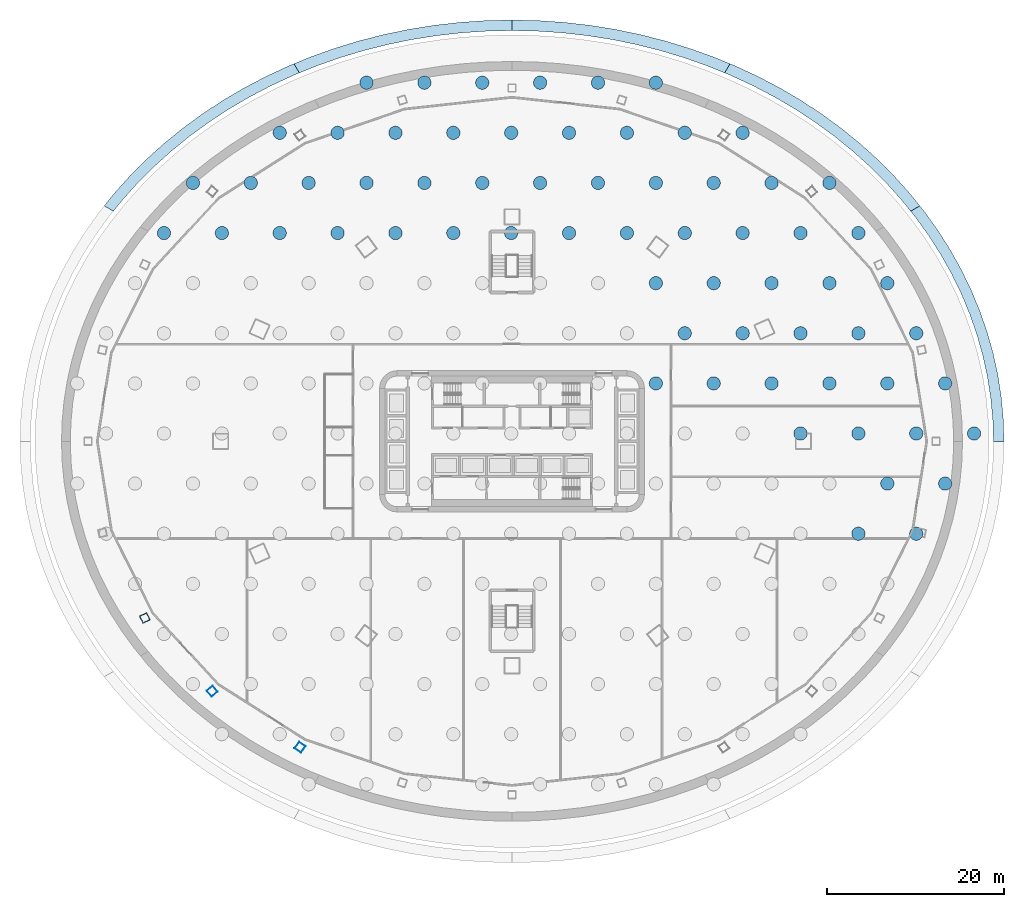
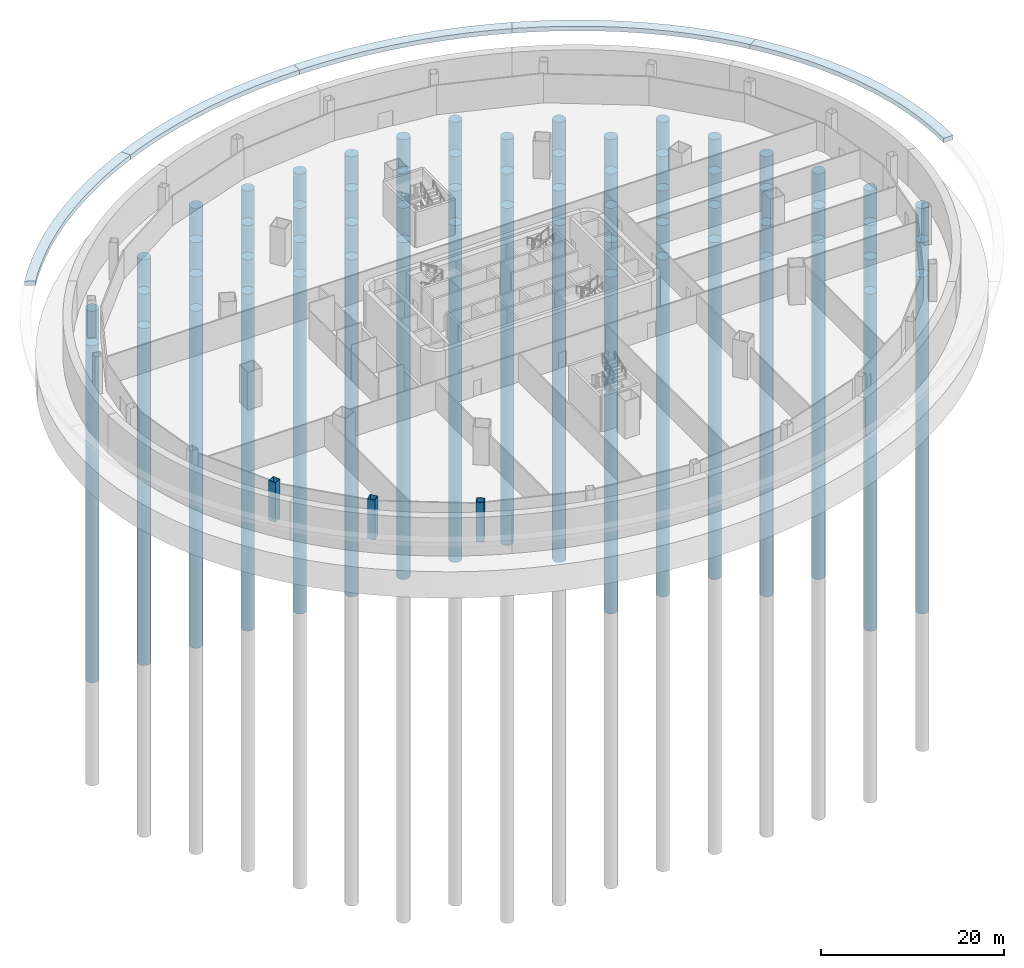
# One storey, part 2 of 19: 64 piles, 5 footings, 3 columns.
"""IFC4 building model written with IfcOpenShell, lengths in metres."""

from ifc_helpers import new_model, si_unit, direction, frame, origin, origin_2d, place, context, subcontext, project, spatial, polyline, hollow_rectangle, circle, outline, extrude, material, material_profile, profile_set, type_object, element, save


model = new_model("IFC4")

# Units and contexts
model_context = context("Model", 3, precision=1e-05, world=origin(), true_north=direction((0.0, 1.0)))
body_context = subcontext(model_context, "Body", "Model", "MODEL_VIEW")
ifc_project = project(units=[si_unit("LENGTHUNIT", "METRE"), si_unit("AREAUNIT", "SQUARE_METRE"), si_unit("VOLUMEUNIT", "CUBIC_METRE"), si_unit("PLANEANGLEUNIT", "RADIAN"), si_unit("MASSUNIT", "GRAM", prefix="KILO")], contexts=[model_context])

# Site, building, storey
site_placement = place(None, origin())
site = spatial("IfcSite", under=ifc_project, at=site_placement, CompositionType="ELEMENT")
building_placement = place(site_placement, origin())
building = spatial("IfcBuilding", under=site, at=building_placement, Name="Sahrelin Media Tower", CompositionType="ELEMENT")
storey_placement = place(building_placement, frame((0.0, 0.0, -5.0)))
storey = spatial("IfcBuildingStorey", under=building, at=storey_placement, Name="B1", CompositionType="ELEMENT", Elevation=-5.0)

# Piles
ifc_material_1 = material(Name="Concrete C60/75", Category="concrete")
ifc_material_profile_1 = material_profile(ifc_material_1, circle(Radius=0.75, at=origin_2d()), Name="Bored pile D1500")
ifc_profile_set_1 = profile_set([ifc_material_profile_1], Name="Concrete C60/75")
pile_type = type_object("IfcPileType", Name="Bored pile D1500", PredefinedType="BORED", material=ifc_profile_set_1)
for number, where, z_axis, x_axis, name in (
    (1, (39.214111328125, -10.4599609375, -3.800048828125), (0.0, 0.0, -1.0), (1.0, 0.0, 0.0), "Bored pile 72"),
    (2, (45.764892578125, -10.4599609375, -3.800048828125), (0.0, 0.0, -1.0), (1.0, 0.0, 0.0), "Bored pile 73"),
    (3, (42.489501953125, -4.78662109375, -3.800048828125), (0.0, 0.0, -1.0), (1.0, 0.0, 0.0), "Bored pile 88"),
    (4, (49.04052734375, -4.78662109375, -3.800048828125), (0.0, 0.0, -1.0), (1.0, 0.0, 0.0), "Bored pile 89"),
    (5, (32.6630859375, 0.88671875, -3.800048828125), (0.0, 0.0, -1.0), (1.0, 0.0, 0.0), "Bored pile 102"),
    (6, (39.214111328125, 0.88671875, -3.800048828125), (0.0, 0.0, -1.0), (1.0, 0.0, 0.0), "Bored pile 103"),
    (7, (45.764892578125, 0.88671875, -3.800048828125), (0.0, 0.0, -1.0), (1.0, 0.0, 0.0), "Bored pile 104"),
    (8, (52.31591796875, 0.88671875, -3.800048828125), (0.0, 0.0, -1.0), (1.0, 0.0, 0.0), "Bored pile 105"),
    (9, (16.285400390625, 6.56005859375, -3.800048828125), (0.0, 0.0, -1.0), (1.0, 0.0, 0.0), "Bored pile 116"),
    (10, (22.83642578125, 6.56005859375, -3.800048828125), (0.0, 0.0, -1.0), (1.0, 0.0, 0.0), "Bored pile 117"),
    (11, (29.387451171875, 6.56005859375, -3.800048828125), (0.0, 0.0, -1.0), (1.0, 0.0, 0.0), "Bored pile 118"),
    (12, (35.9384765625, 6.56005859375, -3.800048828125), (0.0, 0.0, -1.0), (1.0, 0.0, 0.0), "Bored pile 119"),
    (13, (42.489501953125, 6.56005859375, -3.800048828125), (0.0, 0.0, -1.0), (1.0, 0.0, 0.0), "Bored pile 120"),
    (14, (49.04052734375, 6.56005859375, -3.800048828125), (0.0, 0.0, -1.0), (1.0, 0.0, 0.0), "Bored pile 121"),
    (15, (19.56103515625, 12.2333984375, -3.800048828125), (0.0, 0.0, -1.0), (1.0, 0.0, 0.0), "Bored pile 132"),
    (16, (26.112060546875, 12.2333984375, -3.800048828125), (0.0, 0.0, -1.0), (1.0, 0.0, 0.0), "Bored pile 133"),
    (17, (32.6630859375, 12.2333984375, -3.800048828125), (0.0, 0.0, -1.0), (1.0, 0.0, 0.0), "Bored pile 134"),
    (18, (39.214111328125, 12.2333984375, -3.800048828125), (0.0, 0.0, -1.0), (1.0, 0.0, 0.0), "Bored pile 135"),
    (19, (45.764892578125, 12.2333984375, -3.800048828125), (0.0, 0.0, -1.0), (1.0, 0.0, 0.0), "Bored pile 136"),
    (20, (16.285400390625, 17.90673828125, -3.800048828125), (0.0, 0.0, -1.0), (1.0, 0.0, 0.0), "Bored pile 146"),
    (21, (22.83642578125, 17.90673828125, -3.800048828125), (0.0, 0.0, -1.0), (1.0, 0.0, 0.0), "Bored pile 147"),
    (22, (29.387451171875, 17.90673828125, -3.800048828125), (0.0, 0.0, -1.0), (1.0, 0.0, 0.0), "Bored pile 148"),
    (23, (35.9384765625, 17.90673828125, -3.800048828125), (0.0, 0.0, -1.0), (1.0, 0.0, 0.0), "Bored pile 149"),
    (24, (42.489501953125, 17.90673828125, -3.800048828125), (0.0, 0.0, -1.0), (1.0, 0.0, 0.0), "Bored pile 150"),
    (25, (-39.39794921875, 23.580078125, -3.800048828125), (0.0, 0.0, -1.0), (1.0, 0.0, 0.0), "Bored pile 151"),
    (26, (-32.846923828125, 23.580078125, -3.800048828125), (0.0, 0.0, -1.0), (1.0, 0.0, 0.0), "Bored pile 152"),
    (27, (-26.2958984375, 23.580078125, -3.800048828125), (0.0, 0.0, -1.0), (1.0, 0.0, 0.0), "Bored pile 153"),
    (28, (-19.7451171875, 23.580078125, -3.800048828125), (0.0, 0.0, -1.0), (1.0, 0.0, 0.0), "Bored pile 154"),
    (29, (-13.194091796875, 23.580078125, -3.800048828125), (0.0, 0.0, -1.0), (1.0, 0.0, 0.0), "Bored pile 155"),
    (30, (-6.64306640625, 23.580078125, -3.800048828125), (0.0, 0.0, -1.0), (1.0, 0.0, 0.0), "Bored pile 156"),
    (31, (-0.092041015625, 23.580078125, -3.800048828125), (0.0, 0.0, -1.0), (1.0, 0.0, 0.0), "Bored pile 157"),
    (32, (6.458984375, 23.580078125, -3.800048828125), (0.0, 0.0, -1.0), (1.0, 0.0, 0.0), "Bored pile 158"),
    (33, (13.010009765625, 23.580078125, -3.800048828125), (0.0, 0.0, -1.0), (1.0, 0.0, 0.0), "Bored pile 159"),
    (34, (19.56103515625, 23.580078125, -3.800048828125), (0.0, 0.0, -1.0), (1.0, 0.0, 0.0), "Bored pile 160"),
    (35, (26.112060546875, 23.580078125, -3.800048828125), (0.0, 0.0, -1.0), (1.0, 0.0, 0.0), "Bored pile 161"),
    (36, (32.6630859375, 23.580078125, -3.800048828125), (0.0, 0.0, -1.0), (1.0, 0.0, 0.0), "Bored pile 162"),
    (37, (39.214111328125, 23.580078125, -3.800048828125), (0.0, 0.0, -1.0), (1.0, 0.0, 0.0), "Bored pile 163"),
    (38, (-36.12255859375, 29.25341796875, -3.800048828125), (0.0, 0.0, -1.0), (1.0, 0.0, 0.0), "Bored pile 164"),
    (39, (-29.571533203125, 29.25341796875, -3.800048828125), (0.0, 0.0, -1.0), (1.0, 0.0, 0.0), "Bored pile 165"),
    (40, (-23.0205078125, 29.25341796875, -3.800048828125), (0.0, 0.0, -1.0), (1.0, 0.0, 0.0), "Bored pile 166"),
    (41, (-16.469482421875, 29.25341796875, -3.800048828125), (0.0, 0.0, -1.0), (1.0, 0.0, 0.0), "Bored pile 167"),
    (42, (-9.91845703125, 29.25341796875, -3.800048828125), (0.0, 0.0, -1.0), (1.0, 0.0, 0.0), "Bored pile 168"),
    (43, (-3.367431640625, 29.25341796875, -3.800048828125), (0.0, 0.0, -1.0), (1.0, 0.0, 0.0), "Bored pile 169"),
    (44, (3.18359375, 29.25341796875, -3.800048828125), (0.0, 0.0, -1.0), (1.0, 0.0, 0.0), "Bored pile 170"),
    (45, (9.734619140625, 29.25341796875, -3.800048828125), (0.0, 0.0, -1.0), (1.0, 0.0, 0.0), "Bored pile 171"),
    (46, (16.285400390625, 29.25341796875, -3.800048828125), (0.0, 0.0, -1.0), (1.0, 0.0, 0.0), "Bored pile 172"),
    (47, (22.83642578125, 29.25341796875, -3.800048828125), (0.0, 0.0, -1.0), (1.0, 0.0, 0.0), "Bored pile 173"),
    (48, (29.387451171875, 29.25341796875, -3.800048828125), (0.0, 0.0, -1.0), (1.0, 0.0, 0.0), "Bored pile 174"),
    (49, (35.9384765625, 29.25341796875, -3.800048828125), (0.0, 0.0, -1.0), (1.0, 0.0, 0.0), "Bored pile 175"),
    (50, (-26.2958984375, 34.9267578125, -3.800048828125), (0.0, 0.0, -1.0), (1.0, 0.0, 0.0), "Bored pile 176"),
    (51, (-19.7451171875, 34.9267578125, -3.800048828125), (0.0, 0.0, -1.0), (1.0, 0.0, 0.0), "Bored pile 177"),
    (52, (-13.194091796875, 34.9267578125, -3.800048828125), (0.0, 0.0, -1.0), (1.0, 0.0, 0.0), "Bored pile 178"),
    (53, (-6.64306640625, 34.9267578125, -3.800048828125), (0.0, 0.0, -1.0), (1.0, 0.0, 0.0), "Bored pile 179"),
    (54, (-0.092041015625, 34.9267578125, -3.800048828125), (0.0, 0.0, -1.0), (1.0, 0.0, 0.0), "Bored pile 180"),
    (55, (6.458984375, 34.9267578125, -3.800048828125), (0.0, 0.0, -1.0), (1.0, 0.0, 0.0), "Bored pile 181"),
    (56, (13.010009765625, 34.9267578125, -3.800048828125), (0.0, 0.0, -1.0), (1.0, 0.0, 0.0), "Bored pile 182"),
    (57, (19.56103515625, 34.9267578125, -3.800048828125), (0.0, 0.0, -1.0), (1.0, 0.0, 0.0), "Bored pile 183"),
    (58, (26.112060546875, 34.9267578125, -3.800048828125), (0.0, 0.0, -1.0), (1.0, 0.0, 0.0), "Bored pile 184"),
    (59, (-16.469482421875, 40.60009765625, -3.800048828125), (0.0, 0.0, -1.0), (1.0, 0.0, 0.0), "Bored pile 185"),
    (60, (-9.91845703125, 40.60009765625, -3.800048828125), (0.0, 0.0, -1.0), (1.0, 0.0, 0.0), "Bored pile 186"),
    (61, (-3.367431640625, 40.60009765625, -3.800048828125), (0.0, 0.0, -1.0), (1.0, 0.0, 0.0), "Bored pile 187"),
    (62, (3.18359375, 40.60009765625, -3.800048828125), (0.0, 0.0, -1.0), (1.0, 0.0, 0.0), "Bored pile 188"),
    (63, (9.734619140625, 40.60009765625, -3.800048828125), (0.0, 0.0, -1.0), (1.0, 0.0, 0.0), "Bored pile 189"),
    (64, (16.285400390625, 40.60009765625, -3.800048828125), (0.0, 0.0, -1.0), (1.0, 0.0, 0.0), "Bored pile 190"),
):
    element("IfcPile", number, at=place(storey_placement, frame(where, z_axis=z_axis, x_axis=x_axis)), inside=storey, type_object=pile_type, Name=name, PredefinedType="BORED", context=body_context, shape_type="SweptSolid", body=[
        extrude(circle(Radius=0.75, at=origin_2d()), origin(), (0.0, 0.0, 1.0), 45.0),
    ])

# Footings
ifc_material_2 = material(Name="Concrete C50/60", Category="concrete")
footing_type = type_object("IfcFootingType", Name="Plaza ground beam", PredefinedType="FOOTING_BEAM", material=ifc_material_2)
placement = place(storey_placement, frame((0.0, 0.0, 4.199951171875)))
element("IfcFooting", 65, at=placement, inside=storey, type_object=footing_type, Name="Plaza ground beam 1", PredefinedType="FOOTING_BEAM", context=body_context, shape_type="SweptSolid", body=[
    extrude(outline(polyline([(46.17041015625, 26.656494140625), (45.122802734375, 26.0517578125), (45.70751953125, 25.32568359375), (47.198486328125, 23.25), (48.559814453125, 21.110595703125), (49.7880859375, 18.913330078125), (50.880126953125, 16.6640625), (51.83251953125, 14.369384765625), (52.64306640625, 12.03515625), (53.30908203125, 9.66796875), (53.8291015625, 7.274169921875), (54.201416015625, 4.860595703125), (54.42529296875, 2.43359375), (54.5, 0.0), (55.699951171875, 0.0), (55.623779296875, 2.496337890625), (55.39501953125, 4.986083984375), (55.01416015625, 7.4619140625), (54.48291015625, 9.91748046875), (53.802001953125, 12.345703125), (52.973876953125, 14.739990234375), (52.00048828125, 17.09423828125), (50.884521484375, 19.4013671875), (49.629150390625, 21.6552734375), (48.237548828125, 23.85009765625), (46.714111328125, 25.979248046875), (46.17041015625, 26.656494140625)])), origin(), (0.0, 0.0, 1.0), 0.60009765625),
])
element("IfcFooting", 66, at=placement, inside=storey, type_object=footing_type, Name="Plaza ground beam 2", PredefinedType="FOOTING_BEAM", context=body_context, shape_type="SweptSolid", body=[
    extrude(outline(polyline([(24.680908203125, 42.748779296875), (24.076904296875, 41.70263671875), (24.742431640625, 41.431884765625), (27.25, 40.270263671875), (29.682861328125, 38.998291015625), (32.0341796875, 37.619384765625), (34.298095703125, 36.13720703125), (36.467529296875, 34.55615234375), (38.537353515625, 32.880615234375), (40.50146484375, 31.114501953125), (42.3544921875, 29.263427734375), (44.09130859375, 27.33203125), (45.122802734375, 26.0517578125), (46.17041015625, 26.656494140625), (45.062255859375, 28.037353515625), (43.287109375, 30.0185546875), (41.393310546875, 31.91748046875), (39.3857421875, 33.72900390625), (37.2705078125, 35.447998046875), (35.052978515625, 37.06982421875), (32.739501953125, 38.590087890625), (30.33642578125, 40.004638671875), (27.85009765625, 41.309326171875), (25.287353515625, 42.5009765625), (24.680908203125, 42.748779296875)])), origin(), (0.0, 0.0, 1.0), 0.60009765625),
])
element("IfcFooting", 67, at=placement, inside=storey, type_object=footing_type, Name="Plaza ground beam 3", PredefinedType="FOOTING_BEAM", context=body_context, shape_type="SweptSolid", body=[
    extrude(outline(polyline([(0.0, 47.699951171875), (0.0, 46.5), (0.0, 46.5), (2.852294921875, 46.436279296875), (5.69677734375, 46.245361328125), (8.525634765625, 45.927490234375), (11.331298828125, 45.48388671875), (14.105712890625, 44.91552734375), (16.84130859375, 44.22412109375), (19.531005859375, 43.41162109375), (22.1669921875, 42.47998046875), (24.076904296875, 41.70263671875), (24.680908203125, 42.748779296875), (22.6552734375, 43.576171875), (19.961181640625, 44.53173828125), (17.212158203125, 45.365478515625), (14.416259765625, 46.07470703125), (11.580810546875, 46.65771484375), (8.71337890625, 47.11279296875), (5.822265625, 47.438720703125), (2.9150390625, 47.634521484375), (0.0, 47.699951171875), (0.0, 47.699951171875)])), origin(), (0.0, 0.0, 1.0), 0.60009765625),
])
element("IfcFooting", 68, at=placement, inside=storey, type_object=footing_type, Name="Plaza ground beam 4", PredefinedType="FOOTING_BEAM", context=body_context, shape_type="SweptSolid", body=[
    extrude(outline(polyline([(-24.680908203125, 42.748779296875), (-24.076904296875, 41.70263671875), (-22.1669921875, 42.47998046875), (-19.531005859375, 43.41162109375), (-16.84130859375, 44.22412109375), (-14.105712890625, 44.91552734375), (-11.331298828125, 45.48388671875), (-8.525634765625, 45.927490234375), (-5.69677734375, 46.245361328125), (-2.852294921875, 46.436279296875), (0.0, 46.5), (0.0, 47.699951171875), (-2.9150390625, 47.634521484375), (-5.822265625, 47.438720703125), (-8.71337890625, 47.11279296875), (-11.580810546875, 46.65771484375), (-14.416259765625, 46.07470703125), (-17.212158203125, 45.365478515625), (-19.961181640625, 44.53173828125), (-22.6552734375, 43.576171875), (-24.680908203125, 42.748779296875)])), origin(), (0.0, 0.0, 1.0), 0.60009765625),
])
element("IfcFooting", 69, at=placement, inside=storey, type_object=footing_type, Name="Plaza ground beam 5", PredefinedType="FOOTING_BEAM", context=body_context, shape_type="SweptSolid", body=[
    extrude(outline(polyline([(-46.17041015625, 26.656494140625), (-45.122802734375, 26.0517578125), (-44.09130859375, 27.33203125), (-42.3544921875, 29.263427734375), (-40.50146484375, 31.114501953125), (-38.537353515625, 32.880615234375), (-36.467529296875, 34.55615234375), (-34.298095703125, 36.13720703125), (-32.0341796875, 37.619384765625), (-29.682861328125, 38.998291015625), (-27.25, 40.270263671875), (-24.742431640625, 41.431884765625), (-24.076904296875, 41.70263671875), (-24.680908203125, 42.748779296875), (-25.287353515625, 42.5009765625), (-27.85009765625, 41.309326171875), (-30.33642578125, 40.004638671875), (-32.739501953125, 38.590087890625), (-35.052978515625, 37.06982421875), (-37.2705078125, 35.447998046875), (-39.3857421875, 33.72900390625), (-41.393310546875, 31.91748046875), (-43.287109375, 30.0185546875), (-45.062255859375, 28.037353515625), (-46.17041015625, 26.656494140625)])), origin(), (0.0, 0.0, 1.0), 0.60009765625),
])

# Columns
ifc_material_3 = material(Name="Steel S460", Category="steel")
ifc_material_profile_2 = material_profile(ifc_material_3, hollow_rectangle(XDim=0.89990234375, YDim=0.89990234375, WallThickness=0.0400390625, at=origin_2d()), Name="Podium column PC1")
ifc_profile_set_2 = profile_set([ifc_material_profile_2], Name="Steel S460")
column_type = type_object("IfcColumnType", Name="Podium column PC1", PredefinedType="COLUMN", material=ifc_profile_set_2)
for number, where, z_axis, x_axis, name in (
    (70, (-41.569091796875, -20.0, -0.300048828125), (0.0, 0.0, 1.0), (-0.901126969284, -0.433555285089, 0.0), "Podium column PC-14"),
    (71, (-33.941162109375, -28.2841796875, -0.300048828125), (0.0, 0.0, 1.0), (-0.768220956602, -0.640184787259, 0.0), "Podium column PC-15"),
    (72, (-24.0, -34.64111328125, -0.300048828125), (0.0, 0.0, 1.0), (-0.569494740726, -0.821994975827, 0.0), "Podium column PC-16"),
):
    element("IfcColumn", number, at=place(storey_placement, frame(where, z_axis=z_axis, x_axis=x_axis)), inside=storey, type_object=column_type, Name=name, PredefinedType="COLUMN", context=body_context, shape_type="SweptSolid", body=[
        extrude(hollow_rectangle(XDim=0.89990234375, YDim=0.89990234375, WallThickness=0.0400390625, at=origin_2d()), origin(), (0.0, 0.0, 1.0), 5.300048828125),
    ])

save(model, "model.ifc")
